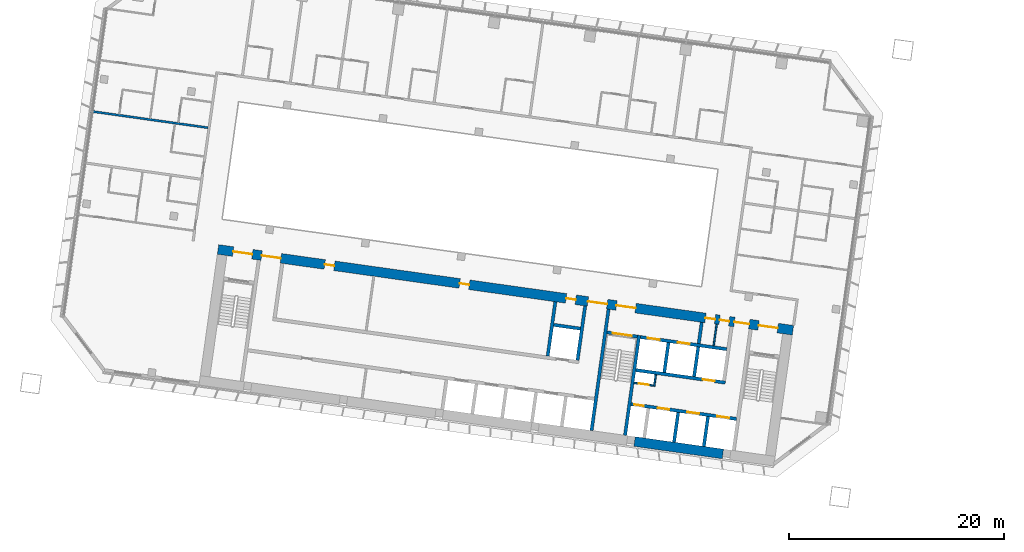
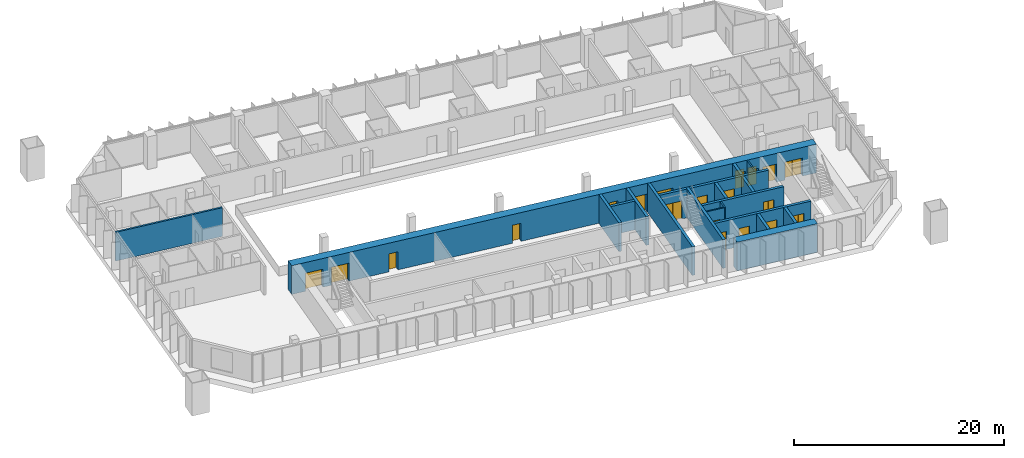
# One storey, part 15 of 25: 20 doors, 20 walls, 20 openings.
"""IFC4 building model written with IfcOpenShell, lengths in metres."""

import ifcopenshell
import ifcopenshell.guid

model = None  # the IFC model being written
_history = None  # IfcOwnerHistory: only IFC2X3 demands one
_inside = {}  # id of a spatial element -> (the spatial element, [elements in it])
_under = {}  # id of a project, library or spatial element -> (it, [spatial elements below it])
_declared = {}  # id of a project -> (the project, [libraries it declares])
_typed = {}  # id of a type object -> (the type object, [elements of that type])
_made_of = {}  # id of a material, layer set ... -> (it, [elements and type objects made of it])


def new_model(schema):
    """Start an empty IFC model of exactly this schema.

    Asked for "IFC4X3", IfcOpenShell would pick the latest addendum, in which some entities
    have other attributes; the version numbers below select the first issue.
    IFC2X3 requires an IfcOwnerHistory on every rooted entity: one is made here for all.
    """
    global model, _history
    if schema == "IFC4X3":
        model = ifcopenshell.file(schema_version=(4, 3, 0, 0))
    else:
        model = ifcopenshell.file(schema=schema)
    _inside.clear()
    _under.clear()
    _declared.clear()
    _typed.clear()
    _made_of.clear()
    _history = None
    if model.schema == "IFC2X3":
        org = make("IfcOrganization", Name="unknown")
        user = make(
            "IfcPersonAndOrganization",
            ThePerson=make("IfcPerson", FamilyName="unknown"),
            TheOrganization=org,
        )
        app = make(
            "IfcApplication",
            ApplicationDeveloper=org,
            Version="unknown",
            ApplicationFullName="unknown",
            ApplicationIdentifier="unknown",
        )
        _history = make(
            "IfcOwnerHistory",
            OwningUser=user,
            OwningApplication=app,
            ChangeAction="ADDED",
            CreationDate=0,
        )
    return model


def make(cls, **values):
    """One entity of the class cls with the attributes given. An attribute that is None is left unset."""
    return model.create_entity(
        cls, **{name: value for name, value in values.items() if value is not None}
    )


def rooted(cls, **values):
    """An entity with a GlobalId (a new one), such as an element, a storey or a relation."""
    return make(cls, GlobalId=ifcopenshell.guid.new(), OwnerHistory=_history, **values)


def si_unit(unit_type, name, prefix=None):
    """IfcSIUnit, for example si_unit("LENGTHUNIT", "METRE", prefix="MILLI")."""
    return make("IfcSIUnit", UnitType=unit_type, Prefix=prefix, Name=name)


def assignment(units):
    """IfcUnitAssignment: the units of a project."""
    return None if units is None else make("IfcUnitAssignment", Units=units)


def point(xyz):
    """IfcCartesianPoint."""
    return None if xyz is None else make("IfcCartesianPoint", Coordinates=xyz)


def direction(xyz):
    """IfcDirection."""
    return None if xyz is None else make("IfcDirection", DirectionRatios=xyz)


def frame(location, z_axis=None, x_axis=None):
    """IfcAxis2Placement3D, a coordinate frame: its origin and axes. An axis left out is left unset."""
    return make(
        "IfcAxis2Placement3D",
        Location=point(location),
        Axis=direction(z_axis),
        RefDirection=direction(x_axis),
    )


def frame_2d(location, x_axis=None):
    """IfcAxis2Placement2D, a coordinate frame in the plane: its origin and x axis."""
    return make(
        "IfcAxis2Placement2D", Location=point(location), RefDirection=direction(x_axis)
    )


def origin():
    """The frame at (0, 0, 0) with its axes left unset."""
    return frame((0.0, 0.0, 0.0))


def place(relative_to, where):
    """IfcLocalPlacement: puts the frame where relative to a parent placement (None: the world)."""
    return make(
        "IfcLocalPlacement", PlacementRelTo=relative_to, RelativePlacement=where
    )


def context(
    kind, dimensions, precision=None, world=None, true_north=None, identifier=None
):
    """IfcGeometricRepresentationContext, for example the 3D "Model" context."""
    return make(
        "IfcGeometricRepresentationContext",
        ContextIdentifier=identifier,
        ContextType=kind,
        CoordinateSpaceDimension=dimensions,
        Precision=precision,
        WorldCoordinateSystem=world,
        TrueNorth=true_north,
    )


def subcontext(parent, identifier, kind, view, scale=None):
    """IfcGeometricRepresentationSubContext, for example "Body" below "Model"."""
    return make(
        "IfcGeometricRepresentationSubContext",
        ContextIdentifier=identifier,
        ContextType=kind,
        ParentContext=parent,
        TargetScale=scale,
        TargetView=view,
    )


def project(units=None, contexts=None):
    """IfcProject with its units and contexts."""
    return rooted(
        "IfcProject",
        Name="project",
        RepresentationContexts=contexts,
        UnitsInContext=assignment(units),
    )


def spatial(cls, under=None, at=None, **own):
    """A site, building, storey or space (cls), placed at a placement, below another one or the project."""
    s = rooted(cls, ObjectPlacement=at, **own)
    if under is not None:
        _under.setdefault(under.id(), (under, []))[1].append(s)
    return s


def profile(cls, at=None, kind="AREA", **sizes):
    """A parametric profile (cls). Its sizes go by their IFC names, for example OverallWidth=200.0."""
    return make(cls, ProfileType=kind, Position=at, **sizes)


def rectangle(**sizes):
    """IfcRectangleProfileDef."""
    return profile("IfcRectangleProfileDef", **sizes)


def extrude(swept, where, along, depth):
    """IfcExtrudedAreaSolid: the profile swept, set in the frame where, extruded along a direction by depth."""
    return make(
        "IfcExtrudedAreaSolid",
        SweptArea=swept,
        Position=where,
        ExtrudedDirection=direction(along),
        Depth=depth,
    )


def shape(context_of_items, identifier, shape_type, items):
    """IfcShapeRepresentation: the items that make up one representation, for example the "Body"."""
    return make(
        "IfcShapeRepresentation",
        ContextOfItems=context_of_items,
        RepresentationIdentifier=identifier,
        RepresentationType=shape_type,
        Items=items,
    )


def material(Name=None, Category=None):
    """IfcMaterial."""
    return make("IfcMaterial", Name=Name, Category=Category)


def layer(
    of_material, thickness, ventilated=None, Name=None, Category=None, Priority=None
):
    """IfcMaterialLayer: one layer of a wall or slab, of a material (None: an air gap)."""
    return make(
        "IfcMaterialLayer",
        Material=of_material,
        LayerThickness=thickness,
        IsVentilated=ventilated,
        Name=Name,
        Category=Category,
        Priority=Priority,
    )


def layer_set(layers, Name=None):
    """IfcMaterialLayerSet."""
    return make("IfcMaterialLayerSet", MaterialLayers=layers, LayerSetName=Name)


def made_of(thing, what):
    """Note that an element or type object is made of a material, layer set ...; save() writes the relation."""
    if what is not None:
        _made_of.setdefault(what.id(), (what, []))[1].append(thing)
    return thing


def type_object(cls, material=None, **own):
    """A type object (cls), such as IfcWallType, which elements share."""
    return made_of(rooted(cls, **own), material)


def element(
    cls,
    number,
    at=None,
    inside=None,
    cuts=None,
    type_object=None,
    material=None,
    context=None,
    identifier="Body",
    shape_type=None,
    held_by="IfcProductDefinitionShape",
    body=None,
    shapes=None,
    **own,
):
    """One element of the class cls, such as IfcWall. Its Tag is "e" and its number.

    at: its placement. inside: the storey or other place that contains it. cuts: it is an
    opening in that element (IfcRelVoidsElement). A single representation is given by context,
    identifier, shape_type and body (its items); several are given by shapes. held_by: the class
    of the entity that holds the representations. save() writes the other relations.
    """
    e = rooted(cls, Tag="e%d" % number, ObjectPlacement=at, **own)
    if body is not None:
        shapes = [shape(context, identifier, shape_type, body)]
    if shapes is not None:
        e.Representation = make(held_by, Representations=shapes)
    if inside is not None:
        _inside.setdefault(inside.id(), (inside, []))[1].append(e)
    if cuts is not None:
        rooted(
            "IfcRelVoidsElement", RelatingBuildingElement=cuts, RelatedOpeningElement=e
        )
    if type_object is not None:
        _typed.setdefault(type_object.id(), (type_object, []))[1].append(e)
    return made_of(e, material)


def fill(opening, filler):
    """IfcRelFillsElement: the door or window that sits in an opening."""
    return rooted(
        "IfcRelFillsElement",
        RelatingOpeningElement=opening,
        RelatedBuildingElement=filler,
    )


def aggregate(whole, parts):
    """IfcRelAggregates: a whole, such as a stair, and the parts it consists of."""
    return rooted("IfcRelAggregates", RelatingObject=whole, RelatedObjects=parts)


def save(model, path):
    """Write the relations noted so far, then the file.

    IfcRelAggregates (storeys below a building ...), IfcRelContainedInSpatialStructure (elements
    in a storey), IfcRelDefinesByType, IfcRelAssociatesMaterial and IfcRelDeclares: one each for
    every whole, place, type object, material and project.
    """
    for whole, parts in _under.values():
        aggregate(whole, parts)
    for where, things in _inside.values():
        rooted(
            "IfcRelContainedInSpatialStructure",
            RelatedElements=things,
            RelatingStructure=where,
        )
    for kind, things in _typed.values():
        rooted("IfcRelDefinesByType", RelatedObjects=things, RelatingType=kind)
    for what, things in _made_of.values():
        rooted("IfcRelAssociatesMaterial", RelatedObjects=things, RelatingMaterial=what)
    for by, libraries in _declared.values():
        rooted("IfcRelDeclares", RelatingContext=by, RelatedDefinitions=libraries)
    model.write(path)


model = new_model("IFC4")

# Units and contexts
model_context = context("Model", 3, precision=1e-05, world=origin(), true_north=direction((0.0, 1.0)))
body_context = subcontext(model_context, "Body", "Model", "MODEL_VIEW")
ifc_project = project(units=[si_unit("LENGTHUNIT", "METRE"), si_unit("AREAUNIT", "SQUARE_METRE"), si_unit("VOLUMEUNIT", "CUBIC_METRE"), si_unit("PLANEANGLEUNIT", "RADIAN"), si_unit("MASSUNIT", "GRAM", prefix="KILO")], contexts=[model_context])

# Site, building, storey
site_placement = place(None, origin())
site = spatial("IfcSite", under=ifc_project, at=site_placement, CompositionType="ELEMENT")
building_placement = place(site_placement, origin())
building = spatial("IfcBuilding", under=site, at=building_placement, Name="Mirante Cascada Hotel Towers", CompositionType="ELEMENT")
storey_placement = place(building_placement, frame((0.0, 0.0, 69.9)))
storey = spatial("IfcBuildingStorey", under=building, at=storey_placement, Name="L14", CompositionType="ELEMENT", Elevation=69.9)

# Walls
ifc_material_1 = material(Name="Fire-rated plasterboard on metal studs")
ifc_layer_1 = layer(ifc_material_1, 0.2)
ifc_layer_set_1 = layer_set([ifc_layer_1], Name="Compartment wall 200 EI 120")
wall_type_1 = type_object("IfcWallType", Name="Compartment wall 200 EI 120", PredefinedType="PARTITIONING", material=ifc_layer_set_1)
wall_1_placement = place(storey_placement, frame((-100.6266, 12.8067, 0.0), z_axis=(0.0, 0.0, 1.0), x_axis=(0.990268, -0.1391733, 0.0)))
element("IfcWall", 1, at=wall_1_placement, inside=storey, type_object=wall_type_1, Name="Wall 1-L14-12", PredefinedType="PARTITIONING", context=body_context, shape_type="SweptSolid", body=[
    extrude(rectangle(XDim=11.0, YDim=0.2, at=frame_2d((5.5, 0.0))), origin(), (0.0, 0.0, 1.0), 3.35),
])
ifc_material_2 = material(Name="Masonry block", Category="masonry")
ifc_layer_2 = layer(ifc_material_2, 0.15)
ifc_layer_set_2 = layer_set([ifc_layer_2], Name="Core room partition 150 block EI 30")
wall_type_2 = type_object("IfcWallType", Name="Core room partition 150 block EI 30", PredefinedType="PARTITIONING", material=ifc_layer_set_2)
wall_2_placement = place(storey_placement, frame((-48.2295, -12.793, 0.0), z_axis=(0.0, 0.0, 1.0), x_axis=(0.1391935, 0.9902652, 0.0)))
element("IfcWall", 2, at=wall_2_placement, inside=storey, type_object=wall_type_2, Name="Core wall partition T1 L14 2", PredefinedType="PARTITIONING", context=body_context, shape_type="SweptSolid", body=[
    extrude(rectangle(XDim=1.1251, YDim=0.15, at=frame_2d((0.5626, 0.0))), origin(), (0.0, 0.0, 1.0), 3.35),
])

# Wall, opening, door
wall_3_placement = place(storey_placement, frame((-48.2933, -12.7083, 0.0), z_axis=(0.0, 0.0, 1.0), x_axis=(-0.990268, 0.1391734, 0.0)))
wall_3 = element("IfcWall", 3, at=wall_3_placement, inside=storey, type_object=wall_type_2, Name="Core wall partition T1 L14 3", PredefinedType="PARTITIONING", context=body_context, shape_type="SweptSolid", body=[
    extrude(rectangle(XDim=1.8251, YDim=0.15, at=frame_2d((0.9126, 0.0))), origin(), (0.0, 0.0, 1.0), 3.35),
])
opening_1_placement = place(wall_3_placement, frame((0.4625, 0.0, 0.0)))
opening_1 = element("IfcOpeningElement", 4, at=opening_1_placement, cuts=wall_3, Name="Opening D1-14-C23", PredefinedType="OPENING", context=body_context, shape_type="SweptSolid", body=[
    extrude(rectangle(XDim=0.9, YDim=2.1, at=frame_2d((0.45, 1.05))), frame((0.0, 0.075, 0.0), z_axis=(0.0, -1.0, 0.0), x_axis=(1.0, 0.0, 0.0)), (0.0, 0.0, 1.0), 0.15),
])
ifc_material_3 = material(Name="Hollow metal fire door leaf")
door_type_1 = type_object("IfcDoorType", Name="Fire door 900x2100 FD60", OperationType="NOTDEFINED", PredefinedType="DOOR", material=ifc_material_3)
door_1_placement = place(opening_1_placement, origin())
door_1 = element("IfcDoor", 5, at=door_1_placement, inside=storey, type_object=door_type_1, Name="Riser door T1 L14 23", OperationType="SINGLE_SWING_LEFT", OverallHeight=2.1, OverallWidth=0.9, PredefinedType="DOOR", context=body_context, shape_type="SweptSolid", body=[
    extrude(rectangle(XDim=0.9, YDim=2.1, at=frame_2d((0.45, 1.05))), frame((0.0, 0.025, 0.0), z_axis=(0.0, -1.0, 0.0), x_axis=(1.0, 0.0, 0.0)), (0.0, 0.0, 1.0), 0.05),
])
fill(opening_1, door_1)

# Walls
wall_4_placement = place(storey_placement, frame((-42.6979, -9.0009, 0.0), z_axis=(0.0, 0.0, 1.0), x_axis=(0.1391529, 0.9902709, 0.0)))
element("IfcWall", 6, at=wall_4_placement, inside=storey, type_object=wall_type_2, Name="Core wall partition T1 L14 4", PredefinedType="PARTITIONING", context=body_context, shape_type="SweptSolid", body=[
    extrude(rectangle(XDim=2.0, YDim=0.15, at=frame_2d((1.0, 0.0))), origin(), (0.0, 0.0, 1.0), 3.35),
])
ifc_material_4 = material(Name="Masonry block", Category="masonry")
ifc_layer_3 = layer(ifc_material_4, 0.3)
ifc_layer_set_3 = layer_set([ifc_layer_3], Name="Core wall 300 block EI 120")
wall_type_3 = type_object("IfcWallType", Name="Core wall 300 block EI 120", PredefinedType="PARTITIONING", material=ifc_layer_set_3)
wall_5_placement = place(storey_placement, frame((-44.0843, -8.8061, 0.0), z_axis=(0.0, 0.0, 1.0), x_axis=(0.1391951, 0.990265, 0.0)))
element("IfcWall", 7, at=wall_5_placement, inside=storey, type_object=wall_type_3, Name="Core wall partition T1 L14 1", PredefinedType="PARTITIONING", context=body_context, shape_type="SweptSolid", body=[
    extrude(rectangle(XDim=2.0001, YDim=0.3, at=frame_2d((1.0001, 0.0))), origin(), (0.0, 0.0, 1.0), 3.35),
])
ifc_material_5 = material(Name="Concrete C50/60", Category="concrete")
ifc_layer_4 = layer(ifc_material_5, 0.3)
ifc_layer_set_4 = layer_set([ifc_layer_4], Name="RC core wall 300 C50/60")
wall_type_4 = type_object("IfcWallType", Name="RC core wall 300 C50/60", PredefinedType="SHEAR", material=ifc_layer_set_4)
wall_6_placement = place(storey_placement, frame((-50.938, -17.3352, 0.0), z_axis=(0.0, 0.0, 1.0), x_axis=(0.1391706, 0.9902684, 0.0)))
element("IfcWall", 8, at=wall_6_placement, inside=storey, type_object=wall_type_4, Name="Core wall T1:L14:6", PredefinedType="SHEAR", context=body_context, shape_type="SweptSolid", body=[
    extrude(rectangle(XDim=9.4, YDim=0.3, at=frame_2d((4.7, 0.0))), origin(), (0.0, 0.0, 1.0), 3.35),
])
wall_7_placement = place(storey_placement, frame((-54.0574, -16.8968, 0.0), z_axis=(0.0, 0.0, 1.0), x_axis=(0.1391761, 0.9902677, 0.0)))
element("IfcWall", 9, at=wall_7_placement, inside=storey, type_object=wall_type_4, Name="Core wall T1:L14:7", PredefinedType="SHEAR", context=body_context, shape_type="SweptSolid", body=[
    extrude(rectangle(XDim=11.3999, YDim=0.3, at=frame_2d((5.7, 0.0))), origin(), (0.0, 0.0, 1.0), 3.35),
])

# Wall, opening, door
wall_8_placement = place(storey_placement, frame((-49.7992, -8.1544, 0.0), z_axis=(0.0, 0.0, 1.0), x_axis=(-0.9902656, 0.1391909, 0.0)))
wall_8 = element("IfcWall", 10, at=wall_8_placement, inside=storey, type_object=wall_type_4, Name="Core wall T1:L14:10", PredefinedType="SHEAR", context=body_context, shape_type="SweptSolid", body=[
    extrude(rectangle(XDim=2.85, YDim=0.3, at=frame_2d((1.425, 0.0))), origin(), (0.0, 0.0, 1.0), 3.35),
])
opening_2_placement = place(wall_8_placement, frame((0.525, 0.0, 0.0)))
opening_2 = element("IfcOpeningElement", 11, at=opening_2_placement, cuts=wall_8, Name="Opening D1-14-C15", PredefinedType="OPENING", context=body_context, shape_type="SweptSolid", body=[
    extrude(rectangle(XDim=1.8, YDim=2.1, at=frame_2d((0.9, 1.05))), frame((0.0, 0.15, 0.0), z_axis=(0.0, -1.0, 0.0), x_axis=(1.0, 0.0, 0.0)), (0.0, 0.0, 1.0), 0.3),
])
ifc_material_6 = material(Name="Hollow metal fire door leaf")
door_type_2 = type_object("IfcDoorType", Name="Double fire door 1800x2100 FD60", OperationType="DOUBLE_DOOR_SINGLE_SWING", PredefinedType="DOOR", material=ifc_material_6)
door_2_placement = place(opening_2_placement, origin())
door_2 = element("IfcDoor", 12, at=door_2_placement, inside=storey, type_object=door_type_2, Name="Stair door T1 L14 15", OperationType="DOUBLE_DOOR_SINGLE_SWING", OverallHeight=2.1, OverallWidth=1.8, PredefinedType="DOOR", context=body_context, shape_type="SweptSolid", body=[
    extrude(rectangle(XDim=0.895, YDim=2.1, at=frame_2d((0.4475, 1.05))), frame((0.0, 0.025, 0.0), z_axis=(0.0, -1.0, 0.0), x_axis=(1.0, 0.0, 0.0)), (0.0, 0.0, 1.0), 0.05),
    extrude(rectangle(XDim=0.895, YDim=2.1, at=frame_2d((1.3525, 1.05))), frame((0.0, 0.025, 0.0), z_axis=(0.0, -1.0, 0.0), x_axis=(1.0, 0.0, 0.0)), (0.0, 0.0, 1.0), 0.05),
])
fill(opening_2, door_2)

# Wall, openings, doors
wall_9_placement = place(storey_placement, frame((-40.5753, -15.8126, 0.0), z_axis=(0.0, 0.0, 1.0), x_axis=(-0.9902682, 0.1391725, 0.0)))
wall_9 = element("IfcWall", 13, at=wall_9_placement, inside=storey, type_object=wall_type_4, Name="Core wall T1:L14:12", PredefinedType="SHEAR", context=body_context, shape_type="SweptSolid", body=[
    extrude(rectangle(XDim=9.8999, YDim=0.3, at=frame_2d((4.95, 0.0))), origin(), (0.0, 0.0, 1.0), 3.35),
])
opening_3_placement = place(wall_9_placement, frame((0.7, 0.0, 0.0)))
opening_3 = element("IfcOpeningElement", 14, at=opening_3_placement, cuts=wall_9, Name="Opening LD", PredefinedType="OPENING", context=body_context, shape_type="SweptSolid", body=[
    extrude(rectangle(XDim=1.1, YDim=2.1, at=frame_2d((0.55, 1.05))), frame((0.0, 0.15, 0.0), z_axis=(0.0, -1.0, 0.0), x_axis=(1.0, 0.0, 0.0)), (0.0, 0.0, 1.0), 0.3),
])
opening_4_placement = place(wall_9_placement, frame((3.5, 0.0, 0.0)))
opening_4 = element("IfcOpeningElement", 15, at=opening_4_placement, cuts=wall_9, Name="Opening LD", PredefinedType="OPENING", context=body_context, shape_type="SweptSolid", body=[
    extrude(rectangle(XDim=1.1, YDim=2.1, at=frame_2d((0.55, 1.05))), frame((0.0, 0.15, 0.0), z_axis=(0.0, -1.0, 0.0), x_axis=(1.0, 0.0, 0.0)), (0.0, 0.0, 1.0), 0.3),
])
opening_5_placement = place(wall_9_placement, frame((6.3, 0.0, 0.0)))
opening_5 = element("IfcOpeningElement", 16, at=opening_5_placement, cuts=wall_9, Name="Opening LD", PredefinedType="OPENING", context=body_context, shape_type="SweptSolid", body=[
    extrude(rectangle(XDim=1.1, YDim=2.1, at=frame_2d((0.55, 1.05))), frame((0.0, 0.15, 0.0), z_axis=(0.0, -1.0, 0.0), x_axis=(1.0, 0.0, 0.0)), (0.0, 0.0, 1.0), 0.3),
])
opening_6_placement = place(wall_9_placement, frame((8.7, 0.0, 0.0)))
opening_6 = element("IfcOpeningElement", 17, at=opening_6_placement, cuts=wall_9, Name="Opening D1-14-C22", PredefinedType="OPENING", context=body_context, shape_type="SweptSolid", body=[
    extrude(rectangle(XDim=0.9, YDim=2.1, at=frame_2d((0.45, 1.05))), frame((0.0, 0.15, 0.0), z_axis=(0.0, -1.0, 0.0), x_axis=(1.0, 0.0, 0.0)), (0.0, 0.0, 1.0), 0.3),
])
door_3_placement = place(opening_6_placement, origin())
door_3 = element("IfcDoor", 18, at=door_3_placement, inside=storey, type_object=door_type_1, Name="Riser door T1 L14 22", OperationType="SINGLE_SWING_LEFT", OverallHeight=2.1, OverallWidth=0.9, PredefinedType="DOOR", context=body_context, shape_type="SweptSolid", body=[
    extrude(rectangle(XDim=0.9, YDim=2.1, at=frame_2d((0.45, 1.05))), frame((0.0, 0.025, 0.0), z_axis=(0.0, -1.0, 0.0), x_axis=(1.0, 0.0, 0.0)), (0.0, 0.0, 1.0), 0.05),
])
fill(opening_6, door_3)
ifc_material_7 = material(Name="Stainless steel", Category="steel")
door_type_3 = type_object("IfcDoorType", Name="Lift landing door 1100x2100 EI 120", OperationType="DOUBLE_DOOR_SLIDING", PredefinedType="DOOR", material=ifc_material_7)
door_4_placement = place(opening_3_placement, origin())
door_4 = element("IfcDoor", 19, at=door_4_placement, inside=storey, type_object=door_type_3, Name="Lift landing door HR1-1 L14", OperationType="DOUBLE_DOOR_SLIDING", OverallHeight=2.1, OverallWidth=1.1, PredefinedType="DOOR", context=body_context, shape_type="SweptSolid", body=[
    extrude(rectangle(XDim=0.545, YDim=2.1, at=frame_2d((0.2725, 1.05))), frame((0.0, 0.025, 0.0), z_axis=(0.0, -1.0, 0.0), x_axis=(1.0, 0.0, 0.0)), (0.0, 0.0, 1.0), 0.05),
    extrude(rectangle(XDim=0.545, YDim=2.1, at=frame_2d((0.8275, 1.05))), frame((0.0, 0.025, 0.0), z_axis=(0.0, -1.0, 0.0), x_axis=(1.0, 0.0, 0.0)), (0.0, 0.0, 1.0), 0.05),
])
fill(opening_3, door_4)
door_5_placement = place(opening_4_placement, origin())
door_5 = element("IfcDoor", 20, at=door_5_placement, inside=storey, type_object=door_type_3, Name="Lift landing door HR1-2 L14", OperationType="DOUBLE_DOOR_SLIDING", OverallHeight=2.1, OverallWidth=1.1, PredefinedType="DOOR", context=body_context, shape_type="SweptSolid", body=[
    extrude(rectangle(XDim=0.545, YDim=2.1, at=frame_2d((0.2725, 1.05))), frame((0.0, 0.025, 0.0), z_axis=(0.0, -1.0, 0.0), x_axis=(1.0, 0.0, 0.0)), (0.0, 0.0, 1.0), 0.05),
    extrude(rectangle(XDim=0.545, YDim=2.1, at=frame_2d((0.8275, 1.05))), frame((0.0, 0.025, 0.0), z_axis=(0.0, -1.0, 0.0), x_axis=(1.0, 0.0, 0.0)), (0.0, 0.0, 1.0), 0.05),
])
fill(opening_4, door_5)
door_6_placement = place(opening_5_placement, origin())
door_6 = element("IfcDoor", 21, at=door_6_placement, inside=storey, type_object=door_type_3, Name="Lift landing door HR1-3 L14", OperationType="DOUBLE_DOOR_SLIDING", OverallHeight=2.1, OverallWidth=1.1, PredefinedType="DOOR", context=body_context, shape_type="SweptSolid", body=[
    extrude(rectangle(XDim=0.545, YDim=2.1, at=frame_2d((0.2725, 1.05))), frame((0.0, 0.025, 0.0), z_axis=(0.0, -1.0, 0.0), x_axis=(1.0, 0.0, 0.0)), (0.0, 0.0, 1.0), 0.05),
    extrude(rectangle(XDim=0.545, YDim=2.1, at=frame_2d((0.8275, 1.05))), frame((0.0, 0.025, 0.0), z_axis=(0.0, -1.0, 0.0), x_axis=(1.0, 0.0, 0.0)), (0.0, 0.0, 1.0), 0.05),
])
fill(opening_5, door_6)

# Wall, opening, door
wall_10_placement = place(storey_placement, frame((-41.6153, -12.435, 0.0), z_axis=(0.0, 0.0, 1.0), x_axis=(-0.9902691, 0.139166, 0.0)))
wall_10 = element("IfcWall", 22, at=wall_10_placement, inside=storey, type_object=wall_type_4, Name="Core wall T1:L14:13", PredefinedType="SHEAR", context=body_context, shape_type="SweptSolid", body=[
    extrude(rectangle(XDim=8.4, YDim=0.3, at=frame_2d((4.2, 0.0))), origin(), (0.0, 0.0, 1.0), 3.35),
])
opening_7_placement = place(wall_10_placement, frame((1.0, 0.0, 0.0)))
opening_7 = element("IfcOpeningElement", 23, at=opening_7_placement, cuts=wall_10, Name="Opening LD", PredefinedType="OPENING", context=body_context, shape_type="SweptSolid", body=[
    extrude(rectangle(XDim=1.1, YDim=2.1, at=frame_2d((0.55, 1.05))), frame((0.0, 0.15, 0.0), z_axis=(0.0, -1.0, 0.0), x_axis=(1.0, 0.0, 0.0)), (0.0, 0.0, 1.0), 0.3),
])
door_7_placement = place(opening_7_placement, origin())
door_7 = element("IfcDoor", 24, at=door_7_placement, inside=storey, type_object=door_type_3, Name="Lift landing door HR1-4 L14", OperationType="DOUBLE_DOOR_SLIDING", OverallHeight=2.1, OverallWidth=1.1, PredefinedType="DOOR", context=body_context, shape_type="SweptSolid", body=[
    extrude(rectangle(XDim=0.545, YDim=2.1, at=frame_2d((0.2725, 1.05))), frame((0.0, 0.025, 0.0), z_axis=(0.0, -1.0, 0.0), x_axis=(1.0, 0.0, 0.0)), (0.0, 0.0, 1.0), 0.05),
    extrude(rectangle(XDim=0.545, YDim=2.1, at=frame_2d((0.8275, 1.05))), frame((0.0, 0.025, 0.0), z_axis=(0.0, -1.0, 0.0), x_axis=(1.0, 0.0, 0.0)), (0.0, 0.0, 1.0), 0.05),
])
fill(opening_7, door_7)

# Wall, openings, doors
wall_11_placement = place(storey_placement, frame((-41.481, -9.3234, 0.0), z_axis=(0.0, 0.0, 1.0), x_axis=(-0.9902679, 0.1391741, 0.0)))
wall_11 = element("IfcWall", 25, at=wall_11_placement, inside=storey, type_object=wall_type_4, Name="Core wall T1:L14:14", PredefinedType="SHEAR", context=body_context, shape_type="SweptSolid", body=[
    extrude(rectangle(XDim=8.0999, YDim=0.3, at=frame_2d((4.05, 0.0))), origin(), (0.0, 0.0, 1.0), 3.35),
])
opening_8_placement = place(wall_11_placement, frame((3.5, 0.0, 0.0)))
opening_8 = element("IfcOpeningElement", 26, at=opening_8_placement, cuts=wall_11, Name="Opening LD", PredefinedType="OPENING", context=body_context, shape_type="SweptSolid", body=[
    extrude(rectangle(XDim=1.1, YDim=2.1, at=frame_2d((0.55, 1.05))), frame((0.0, 0.15, 0.0), z_axis=(0.0, -1.0, 0.0), x_axis=(1.0, 0.0, 0.0)), (0.0, 0.0, 1.0), 0.3),
])
opening_9_placement = place(wall_11_placement, frame((6.3, 0.0, 0.0)))
opening_9 = element("IfcOpeningElement", 27, at=opening_9_placement, cuts=wall_11, Name="Opening LD", PredefinedType="OPENING", context=body_context, shape_type="SweptSolid", body=[
    extrude(rectangle(XDim=1.1, YDim=2.1, at=frame_2d((0.55, 1.05))), frame((0.0, 0.15, 0.0), z_axis=(0.0, -1.0, 0.0), x_axis=(1.0, 0.0, 0.0)), (0.0, 0.0, 1.0), 0.3),
])
door_8_placement = place(opening_8_placement, origin())
door_8 = element("IfcDoor", 28, at=door_8_placement, inside=storey, type_object=door_type_3, Name="Lift landing door FF1 L14", OperationType="DOUBLE_DOOR_SLIDING", OverallHeight=2.1, OverallWidth=1.1, PredefinedType="DOOR", context=body_context, shape_type="SweptSolid", body=[
    extrude(rectangle(XDim=0.545, YDim=2.1, at=frame_2d((0.2725, 1.05))), frame((0.0, 0.025, 0.0), z_axis=(0.0, -1.0, 0.0), x_axis=(1.0, 0.0, 0.0)), (0.0, 0.0, 1.0), 0.05),
    extrude(rectangle(XDim=0.545, YDim=2.1, at=frame_2d((0.8275, 1.05))), frame((0.0, 0.025, 0.0), z_axis=(0.0, -1.0, 0.0), x_axis=(1.0, 0.0, 0.0)), (0.0, 0.0, 1.0), 0.05),
])
fill(opening_8, door_8)
door_9_placement = place(opening_9_placement, origin())
door_9 = element("IfcDoor", 29, at=door_9_placement, inside=storey, type_object=door_type_3, Name="Lift landing door FF2 L14", OperationType="DOUBLE_DOOR_SLIDING", OverallHeight=2.1, OverallWidth=1.1, PredefinedType="DOOR", context=body_context, shape_type="SweptSolid", body=[
    extrude(rectangle(XDim=0.545, YDim=2.1, at=frame_2d((0.2725, 1.05))), frame((0.0, 0.025, 0.0), z_axis=(0.0, -1.0, 0.0), x_axis=(1.0, 0.0, 0.0)), (0.0, 0.0, 1.0), 0.05),
    extrude(rectangle(XDim=0.545, YDim=2.1, at=frame_2d((0.8275, 1.05))), frame((0.0, 0.025, 0.0), z_axis=(0.0, -1.0, 0.0), x_axis=(1.0, 0.0, 0.0)), (0.0, 0.0, 1.0), 0.05),
])
fill(opening_9, door_9)

# Walls
wall_12_placement = place(storey_placement, frame((-43.61, -18.3651, 0.0), z_axis=(0.0, 0.0, 1.0), x_axis=(0.1391459, 0.9902719, 0.0)))
element("IfcWall", 30, at=wall_12_placement, inside=storey, type_object=wall_type_4, Name="Core wall T1:L14:15", PredefinedType="SHEAR", context=body_context, shape_type="SweptSolid", body=[
    extrude(rectangle(XDim=2.7999, YDim=0.3, at=frame_2d((1.4, 0.0))), origin(), (0.0, 0.0, 1.0), 3.35),
])
for number, where, z_axis, x_axis, name in (
    (31, (-46.3828, -17.9754, 0.0), (0.0, 0.0, 1.0), (0.139181, 0.990267, 0.0), "Core wall T1:L14:16"),
    (32, (-44.5157, -11.8759, 0.0), (0.0, 0.0, 1.0), (0.139181, 0.990267, 0.0), "Core wall T1:L14:18"),
    (33, (-47.2885, -11.4862, 0.0), (0.0, 0.0, 1.0), (0.139181, 0.990267, 0.0), "Core wall T1:L14:19"),
):
    element("IfcWall", number, at=place(storey_placement, frame(where, z_axis=z_axis, x_axis=x_axis)), inside=storey, type_object=wall_type_4, Name=name, PredefinedType="SHEAR", context=body_context, shape_type="SweptSolid", body=[
        extrude(rectangle(XDim=2.8, YDim=0.3, at=frame_2d((1.4, 0.0))), origin(), (0.0, 0.0, 1.0), 3.35),
    ])
for number, where, z_axis, x_axis, name in (
    (34, (-55.3592, -10.352, 0.0), (0.0, 0.0, 1.0), (0.1391755, 0.9902677, 0.0), "Core wall T1:L14:33"),
    (35, (-58.1319, -9.9623, 0.0), (0.0, 0.0, 1.0), (0.1391755, 0.9902677, 0.0), "Core wall T1:L14:35"),
):
    element("IfcWall", number, at=place(storey_placement, frame(where, z_axis=z_axis, x_axis=x_axis)), inside=storey, type_object=wall_type_4, Name=name, PredefinedType="SHEAR", context=body_context, shape_type="SweptSolid", body=[
        extrude(rectangle(XDim=5.1, YDim=0.3, at=frame_2d((2.55, 0.0))), origin(), (0.0, 0.0, 1.0), 3.35),
    ])
wall_13_placement = place(storey_placement, frame((-55.0971, -7.4098, 0.0), z_axis=(0.0, 0.0, 1.0), x_axis=(-0.9902701, 0.1391586, 0.0)))
element("IfcWall", 36, at=wall_13_placement, inside=storey, type_object=wall_type_4, Name="Core wall T1:L14:36", PredefinedType="SHEAR", context=body_context, shape_type="SweptSolid", body=[
    extrude(rectangle(XDim=2.5, YDim=0.3, at=frame_2d((1.25, 0.0))), origin(), (0.0, 0.0, 1.0), 3.35),
])
ifc_material_8 = material(Name="Concrete C50/60", Category="concrete")
ifc_layer_5 = layer(ifc_material_8, 0.9)
ifc_layer_set_5 = layer_set([ifc_layer_5], Name="RC core wall 900 C50/60")
wall_type_5 = type_object("IfcWallType", Name="RC core wall 900 C50/60", PredefinedType="SHEAR", material=ifc_layer_set_5)
wall_14_placement = place(storey_placement, frame((-41.8407, -19.0682, 0.0), z_axis=(0.0, 0.0, 1.0), x_axis=(-0.9902686, 0.1391692, 0.0)))
element("IfcWall", 37, at=wall_14_placement, inside=storey, type_object=wall_type_5, Name="Core wall T1:L14:1.2", PredefinedType="SHEAR", context=body_context, shape_type="SweptSolid", body=[
    extrude(rectangle(XDim=8.3, YDim=0.9, at=frame_2d((4.15, 0.0))), origin(), (0.0, 0.0, 1.0), 3.35),
])

# Wall, openings, doors
wall_15_placement = place(storey_placement, frame((-35.326, -7.5629, 0.0), z_axis=(0.0, 0.0, 1.0), x_axis=(-0.9902679, 0.139174, 0.0)))
wall_15 = element("IfcWall", 38, at=wall_15_placement, inside=storey, type_object=wall_type_5, Name="Core wall T1:L14:2", PredefinedType="SHEAR", context=body_context, shape_type="SweptSolid", body=[
    extrude(rectangle(XDim=54.0, YDim=0.9, at=frame_2d((27.0, 0.0))), origin(), (0.0, 0.0, 1.0), 3.35),
])
opening_10_placement = place(wall_15_placement, frame((1.425, 0.0, 0.0)))
opening_10 = element("IfcOpeningElement", 39, at=opening_10_placement, cuts=wall_15, Name="Opening D1-14-C14", PredefinedType="OPENING", context=body_context, shape_type="SweptSolid", body=[
    extrude(rectangle(XDim=1.8, YDim=2.1, at=frame_2d((0.9, 1.05))), frame((0.0, 0.45, 0.0), z_axis=(0.0, -1.0, 0.0), x_axis=(1.0, 0.0, 0.0)), (0.0, 0.0, 1.0), 0.9),
])
opening_11_placement = place(wall_15_placement, frame((14.775, 0.0, 0.0)))
opening_11 = element("IfcOpeningElement", 40, at=opening_11_placement, cuts=wall_15, Name="Opening D1-14-C16", PredefinedType="OPENING", context=body_context, shape_type="SweptSolid", body=[
    extrude(rectangle(XDim=1.8, YDim=2.1, at=frame_2d((0.9, 1.05))), frame((0.0, 0.45, 0.0), z_axis=(0.0, -1.0, 0.0), x_axis=(1.0, 0.0, 0.0)), (0.0, 0.0, 1.0), 0.9),
])
opening_12_placement = place(wall_15_placement, frame((50.775, 0.0, 0.0)))
opening_12 = element("IfcOpeningElement", 41, at=opening_12_placement, cuts=wall_15, Name="Opening D1-14-C18", PredefinedType="OPENING", context=body_context, shape_type="SweptSolid", body=[
    extrude(rectangle(XDim=1.8, YDim=2.1, at=frame_2d((0.9, 1.05))), frame((0.0, 0.45, 0.0), z_axis=(0.0, -1.0, 0.0), x_axis=(1.0, 0.0, 0.0)), (0.0, 0.0, 1.0), 0.9),
])
opening_13_placement = place(wall_15_placement, frame((4.1, 0.0, 0.0)))
opening_13 = element("IfcOpeningElement", 42, at=opening_13_placement, cuts=wall_15, Name="Opening D1-14-C19", PredefinedType="OPENING", context=body_context, shape_type="SweptSolid", body=[
    extrude(rectangle(XDim=1.4, YDim=2.1, at=frame_2d((0.7, 1.05))), frame((0.0, 0.45, 0.0), z_axis=(0.0, -1.0, 0.0), x_axis=(1.0, 0.0, 0.0)), (0.0, 0.0, 1.0), 0.9),
])
opening_14_placement = place(wall_15_placement, frame((17.45, 0.0, 0.0)))
opening_14 = element("IfcOpeningElement", 43, at=opening_14_placement, cuts=wall_15, Name="Opening D1-14-C20", PredefinedType="OPENING", context=body_context, shape_type="SweptSolid", body=[
    extrude(rectangle(XDim=1.8, YDim=2.1, at=frame_2d((0.9, 1.05))), frame((0.0, 0.45, 0.0), z_axis=(0.0, -1.0, 0.0), x_axis=(1.0, 0.0, 0.0)), (0.0, 0.0, 1.0), 0.9),
])
opening_15_placement = place(wall_15_placement, frame((48.1, 0.0, 0.0)))
opening_15 = element("IfcOpeningElement", 44, at=opening_15_placement, cuts=wall_15, Name="Opening D1-14-C21", PredefinedType="OPENING", context=body_context, shape_type="SweptSolid", body=[
    extrude(rectangle(XDim=1.8, YDim=2.1, at=frame_2d((0.9, 1.05))), frame((0.0, 0.45, 0.0), z_axis=(0.0, -1.0, 0.0), x_axis=(1.0, 0.0, 0.0)), (0.0, 0.0, 1.0), 0.9),
])
opening_16_placement = place(wall_15_placement, frame((5.9875, 0.0, 0.0)))
opening_16 = element("IfcOpeningElement", 45, at=opening_16_placement, cuts=wall_15, Name="Opening D1-14-C24", PredefinedType="OPENING", context=body_context, shape_type="SweptSolid", body=[
    extrude(rectangle(XDim=0.9, YDim=2.1, at=frame_2d((0.45, 1.05))), frame((0.0, 0.45, 0.0), z_axis=(0.0, -1.0, 0.0), x_axis=(1.0, 0.0, 0.0)), (0.0, 0.0, 1.0), 0.9),
])
opening_17_placement = place(wall_15_placement, frame((7.3125, 0.0, 0.0)))
opening_17 = element("IfcOpeningElement", 46, at=opening_17_placement, cuts=wall_15, Name="Opening D1-14-C25", PredefinedType="OPENING", context=body_context, shape_type="SweptSolid", body=[
    extrude(rectangle(XDim=0.9, YDim=2.1, at=frame_2d((0.45, 1.05))), frame((0.0, 0.45, 0.0), z_axis=(0.0, -1.0, 0.0), x_axis=(1.0, 0.0, 0.0)), (0.0, 0.0, 1.0), 0.9),
])
opening_18_placement = place(wall_15_placement, frame((20.4, 0.0, 0.0)))
opening_18 = element("IfcOpeningElement", 47, at=opening_18_placement, cuts=wall_15, Name="Opening D1-14-C28", PredefinedType="OPENING", context=body_context, shape_type="SweptSolid", body=[
    extrude(rectangle(XDim=0.9, YDim=2.1, at=frame_2d((0.45, 1.05))), frame((0.0, 0.45, 0.0), z_axis=(0.0, -1.0, 0.0), x_axis=(1.0, 0.0, 0.0)), (0.0, 0.0, 1.0), 0.9),
])
opening_19_placement = place(wall_15_placement, frame((30.4, 0.0, 0.0)))
opening_19 = element("IfcOpeningElement", 48, at=opening_19_placement, cuts=wall_15, Name="Opening D1-14-C29", PredefinedType="OPENING", context=body_context, shape_type="SweptSolid", body=[
    extrude(rectangle(XDim=0.9, YDim=2.1, at=frame_2d((0.45, 1.05))), frame((0.0, 0.45, 0.0), z_axis=(0.0, -1.0, 0.0), x_axis=(1.0, 0.0, 0.0)), (0.0, 0.0, 1.0), 0.9),
])
opening_20_placement = place(wall_15_placement, frame((43.075, 0.0, 0.0)))
opening_20 = element("IfcOpeningElement", 49, at=opening_20_placement, cuts=wall_15, Name="Opening D1-14-C30", PredefinedType="OPENING", context=body_context, shape_type="SweptSolid", body=[
    extrude(rectangle(XDim=0.9, YDim=2.1, at=frame_2d((0.45, 1.05))), frame((0.0, 0.45, 0.0), z_axis=(0.0, -1.0, 0.0), x_axis=(1.0, 0.0, 0.0)), (0.0, 0.0, 1.0), 0.9),
])
ifc_material_9 = material(Name="Hollow metal fire door leaf")
door_type_4 = type_object("IfcDoorType", Name="Double fire door 1400x2100 FD60", OperationType="DOUBLE_DOOR_SINGLE_SWING", PredefinedType="DOOR", material=ifc_material_9)
door_10_placement = place(opening_13_placement, frame((1.4, 0.0, 0.0), z_axis=(0.0, 0.0, 1.0), x_axis=(-1.0, 0.0, 0.0)))
door_10 = element("IfcDoor", 50, at=door_10_placement, inside=storey, type_object=door_type_4, Name="Exit door to gallery T1 L14 19", OperationType="DOUBLE_DOOR_SINGLE_SWING", OverallHeight=2.1, OverallWidth=1.4, PredefinedType="DOOR", context=body_context, shape_type="SweptSolid", body=[
    extrude(rectangle(XDim=0.695, YDim=2.1, at=frame_2d((0.3475, 1.05))), frame((0.0, 0.025, 0.0), z_axis=(0.0, -1.0, 0.0), x_axis=(1.0, 0.0, 0.0)), (0.0, 0.0, 1.0), 0.05),
    extrude(rectangle(XDim=0.695, YDim=2.1, at=frame_2d((1.0525, 1.05))), frame((0.0, 0.025, 0.0), z_axis=(0.0, -1.0, 0.0), x_axis=(1.0, 0.0, 0.0)), (0.0, 0.0, 1.0), 0.05),
])
fill(opening_13, door_10)
door_11_placement = place(opening_10_placement, origin())
door_11 = element("IfcDoor", 51, at=door_11_placement, inside=storey, type_object=door_type_2, Name="Exit door to gallery T1 L14 14", OperationType="DOUBLE_DOOR_SINGLE_SWING", OverallHeight=2.1, OverallWidth=1.8, PredefinedType="DOOR", context=body_context, shape_type="SweptSolid", body=[
    extrude(rectangle(XDim=0.895, YDim=2.1, at=frame_2d((0.4475, 1.05))), frame((0.0, 0.025, 0.0), z_axis=(0.0, -1.0, 0.0), x_axis=(1.0, 0.0, 0.0)), (0.0, 0.0, 1.0), 0.05),
    extrude(rectangle(XDim=0.895, YDim=2.1, at=frame_2d((1.3525, 1.05))), frame((0.0, 0.025, 0.0), z_axis=(0.0, -1.0, 0.0), x_axis=(1.0, 0.0, 0.0)), (0.0, 0.0, 1.0), 0.05),
])
fill(opening_10, door_11)
door_12_placement = place(opening_11_placement, origin())
door_12 = element("IfcDoor", 52, at=door_12_placement, inside=storey, type_object=door_type_2, Name="Exit door to gallery T1 L14 16", OperationType="DOUBLE_DOOR_SINGLE_SWING", OverallHeight=2.1, OverallWidth=1.8, PredefinedType="DOOR", context=body_context, shape_type="SweptSolid", body=[
    extrude(rectangle(XDim=0.895, YDim=2.1, at=frame_2d((0.4475, 1.05))), frame((0.0, 0.025, 0.0), z_axis=(0.0, -1.0, 0.0), x_axis=(1.0, 0.0, 0.0)), (0.0, 0.0, 1.0), 0.05),
    extrude(rectangle(XDim=0.895, YDim=2.1, at=frame_2d((1.3525, 1.05))), frame((0.0, 0.025, 0.0), z_axis=(0.0, -1.0, 0.0), x_axis=(1.0, 0.0, 0.0)), (0.0, 0.0, 1.0), 0.05),
])
fill(opening_11, door_12)
door_13_placement = place(opening_12_placement, origin())
door_13 = element("IfcDoor", 53, at=door_13_placement, inside=storey, type_object=door_type_2, Name="Exit door to gallery T1 L14 18", OperationType="DOUBLE_DOOR_SINGLE_SWING", OverallHeight=2.1, OverallWidth=1.8, PredefinedType="DOOR", context=body_context, shape_type="SweptSolid", body=[
    extrude(rectangle(XDim=0.895, YDim=2.1, at=frame_2d((0.4475, 1.05))), frame((0.0, 0.025, 0.0), z_axis=(0.0, -1.0, 0.0), x_axis=(1.0, 0.0, 0.0)), (0.0, 0.0, 1.0), 0.05),
    extrude(rectangle(XDim=0.895, YDim=2.1, at=frame_2d((1.3525, 1.05))), frame((0.0, 0.025, 0.0), z_axis=(0.0, -1.0, 0.0), x_axis=(1.0, 0.0, 0.0)), (0.0, 0.0, 1.0), 0.05),
])
fill(opening_12, door_13)
door_14_placement = place(opening_14_placement, frame((1.8, 0.0, 0.0), z_axis=(0.0, 0.0, 1.0), x_axis=(-1.0, 0.0, 0.0)))
door_14 = element("IfcDoor", 54, at=door_14_placement, inside=storey, type_object=door_type_2, Name="Exit door to gallery T1 L14 20", OperationType="DOUBLE_DOOR_SINGLE_SWING", OverallHeight=2.1, OverallWidth=1.8, PredefinedType="DOOR", context=body_context, shape_type="SweptSolid", body=[
    extrude(rectangle(XDim=0.895, YDim=2.1, at=frame_2d((0.4475, 1.05))), frame((0.0, 0.025, 0.0), z_axis=(0.0, -1.0, 0.0), x_axis=(1.0, 0.0, 0.0)), (0.0, 0.0, 1.0), 0.05),
    extrude(rectangle(XDim=0.895, YDim=2.1, at=frame_2d((1.3525, 1.05))), frame((0.0, 0.025, 0.0), z_axis=(0.0, -1.0, 0.0), x_axis=(1.0, 0.0, 0.0)), (0.0, 0.0, 1.0), 0.05),
])
fill(opening_14, door_14)
door_15_placement = place(opening_15_placement, frame((1.8, 0.0, 0.0), z_axis=(0.0, 0.0, 1.0), x_axis=(-1.0, 0.0, 0.0)))
door_15 = element("IfcDoor", 55, at=door_15_placement, inside=storey, type_object=door_type_2, Name="Exit door to gallery T1 L14 21", OperationType="DOUBLE_DOOR_SINGLE_SWING", OverallHeight=2.1, OverallWidth=1.8, PredefinedType="DOOR", context=body_context, shape_type="SweptSolid", body=[
    extrude(rectangle(XDim=0.895, YDim=2.1, at=frame_2d((0.4475, 1.05))), frame((0.0, 0.025, 0.0), z_axis=(0.0, -1.0, 0.0), x_axis=(1.0, 0.0, 0.0)), (0.0, 0.0, 1.0), 0.05),
    extrude(rectangle(XDim=0.895, YDim=2.1, at=frame_2d((1.3525, 1.05))), frame((0.0, 0.025, 0.0), z_axis=(0.0, -1.0, 0.0), x_axis=(1.0, 0.0, 0.0)), (0.0, 0.0, 1.0), 0.05),
])
fill(opening_15, door_15)
door_16_placement = place(opening_16_placement, origin())
door_16 = element("IfcDoor", 56, at=door_16_placement, inside=storey, type_object=door_type_1, Name="Room door T1 L14 24", OperationType="SINGLE_SWING_RIGHT", OverallHeight=2.1, OverallWidth=0.9, PredefinedType="DOOR", context=body_context, shape_type="SweptSolid", body=[
    extrude(rectangle(XDim=0.9, YDim=2.1, at=frame_2d((0.45, 1.05))), frame((0.0, 0.025, 0.0), z_axis=(0.0, -1.0, 0.0), x_axis=(1.0, 0.0, 0.0)), (0.0, 0.0, 1.0), 0.05),
])
fill(opening_16, door_16)
door_17_placement = place(opening_17_placement, origin())
door_17 = element("IfcDoor", 57, at=door_17_placement, inside=storey, type_object=door_type_1, Name="Room door T1 L14 25", OperationType="SINGLE_SWING_RIGHT", OverallHeight=2.1, OverallWidth=0.9, PredefinedType="DOOR", context=body_context, shape_type="SweptSolid", body=[
    extrude(rectangle(XDim=0.9, YDim=2.1, at=frame_2d((0.45, 1.05))), frame((0.0, 0.025, 0.0), z_axis=(0.0, -1.0, 0.0), x_axis=(1.0, 0.0, 0.0)), (0.0, 0.0, 1.0), 0.05),
])
fill(opening_17, door_17)
door_18_placement = place(opening_18_placement, origin())
door_18 = element("IfcDoor", 58, at=door_18_placement, inside=storey, type_object=door_type_1, Name="Room door T1 L14 28", OperationType="SINGLE_SWING_RIGHT", OverallHeight=2.1, OverallWidth=0.9, PredefinedType="DOOR", context=body_context, shape_type="SweptSolid", body=[
    extrude(rectangle(XDim=0.9, YDim=2.1, at=frame_2d((0.45, 1.05))), frame((0.0, 0.025, 0.0), z_axis=(0.0, -1.0, 0.0), x_axis=(1.0, 0.0, 0.0)), (0.0, 0.0, 1.0), 0.05),
])
fill(opening_18, door_18)
door_19_placement = place(opening_19_placement, origin())
door_19 = element("IfcDoor", 59, at=door_19_placement, inside=storey, type_object=door_type_1, Name="Room door T1 L14 29", OperationType="SINGLE_SWING_LEFT", OverallHeight=2.1, OverallWidth=0.9, PredefinedType="DOOR", context=body_context, shape_type="SweptSolid", body=[
    extrude(rectangle(XDim=0.9, YDim=2.1, at=frame_2d((0.45, 1.05))), frame((0.0, 0.025, 0.0), z_axis=(0.0, -1.0, 0.0), x_axis=(1.0, 0.0, 0.0)), (0.0, 0.0, 1.0), 0.05),
])
fill(opening_19, door_19)
door_20_placement = place(opening_20_placement, origin())
door_20 = element("IfcDoor", 60, at=door_20_placement, inside=storey, type_object=door_type_1, Name="Room door T1 L14 30", OperationType="SINGLE_SWING_LEFT", OverallHeight=2.1, OverallWidth=0.9, PredefinedType="DOOR", context=body_context, shape_type="SweptSolid", body=[
    extrude(rectangle(XDim=0.9, YDim=2.1, at=frame_2d((0.45, 1.05))), frame((0.0, 0.025, 0.0), z_axis=(0.0, -1.0, 0.0), x_axis=(1.0, 0.0, 0.0)), (0.0, 0.0, 1.0), 0.05),
])
fill(opening_20, door_20)

save(model, "model.ifc")
